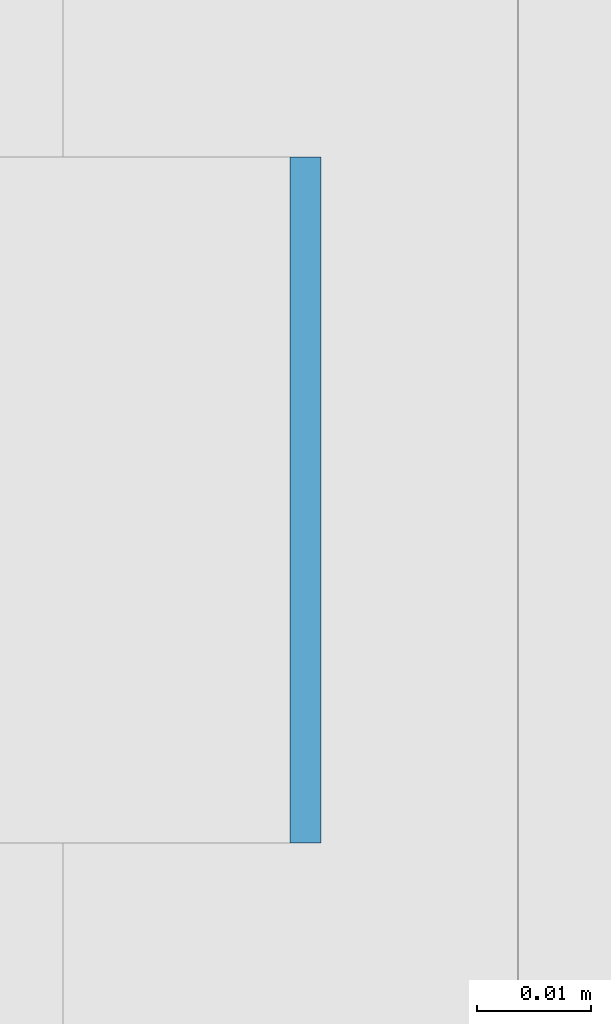
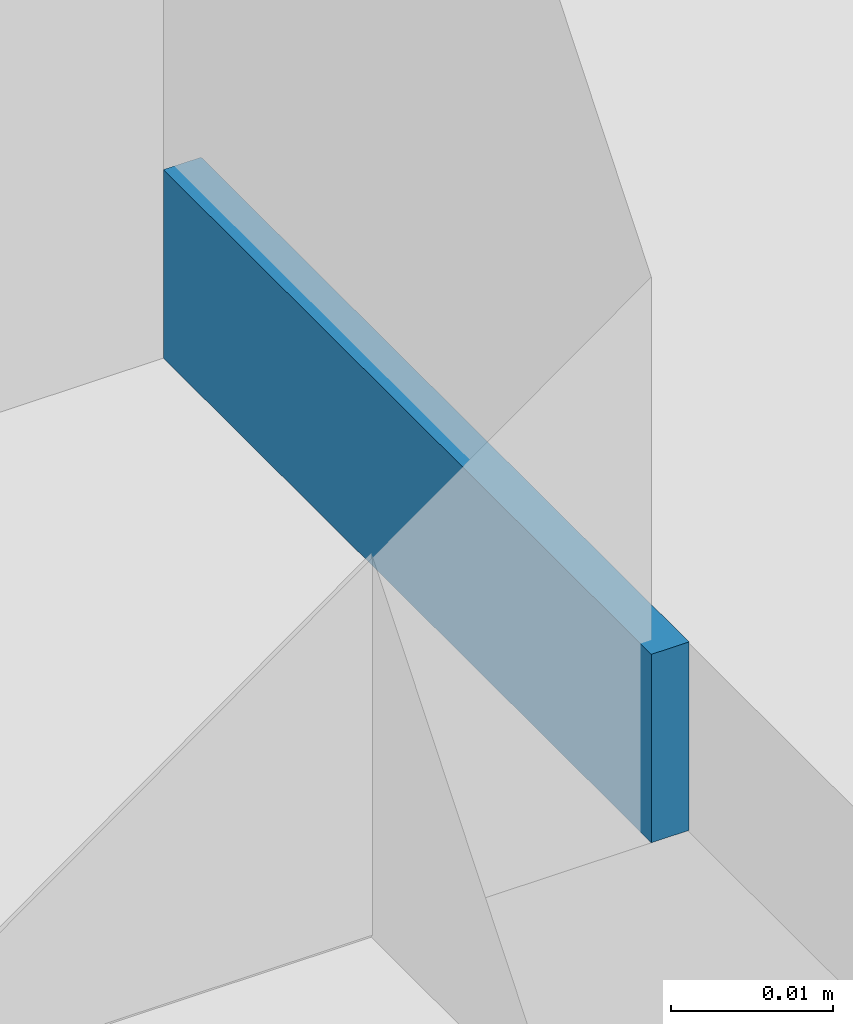
# One storey, part 342 of 646: 1 discrete accessory.
"""IFC4 building model written with IfcOpenShell, lengths in metres."""

from ifc_helpers import new_model, si_unit, direction, frame, origin, origin_2d, place, context, subcontext, project, spatial, rectangle, extrude, material, type_object, element, save


model = new_model("IFC4")

# Units and contexts
model_context = context("Model", 3, precision=1e-05, world=origin(), true_north=direction((0.0, 1.0)))
body_context = subcontext(model_context, "Body", "Model", "MODEL_VIEW")
ifc_project = project(units=[si_unit("LENGTHUNIT", "METRE"), si_unit("AREAUNIT", "SQUARE_METRE"), si_unit("VOLUMEUNIT", "CUBIC_METRE"), si_unit("PLANEANGLEUNIT", "RADIAN"), si_unit("MASSUNIT", "GRAM", prefix="KILO")], contexts=[model_context])

# Site, building, storey
site_placement = place(None, origin())
site = spatial("IfcSite", under=ifc_project, at=site_placement, CompositionType="ELEMENT")
building_placement = place(site_placement, origin())
building = spatial("IfcBuilding", under=site, at=building_placement, Name="Silverbay Arena", CompositionType="ELEMENT")
storey_placement = place(building_placement, frame((0.0, 0.0, 33.5)))
storey = spatial("IfcBuildingStorey", under=building, at=storey_placement, Name="L05", CompositionType="ELEMENT", Elevation=33.5)

# Discrete accessory
ifc_material = material(Name="Steel S355", Category="steel")
discrete_accessory_type = type_object("IfcDiscreteAccessoryType", Name="Steel bracket plate", PredefinedType="BRACKET", material=ifc_material)
discrete_accessory_placement = place(storey_placement, frame((53.871337890625, 86.142822265625, 4.0), z_axis=(0.0, 0.0, 1.0), x_axis=(1.0, 0.0, 0.0)))
element("IfcDiscreteAccessory", 1, at=discrete_accessory_placement, inside=storey, type_object=discrete_accessory_type, Name="Curtain wall packing plate", PredefinedType="BRACKET", context=body_context, shape_type="SweptSolid", body=[
    extrude(rectangle(XDim=0.002685546875, YDim=0.06005859375, at=origin_2d()), origin(), (0.0, 0.0, 1.0), 0.01416015625),
])

save(model, "model.ifc")
